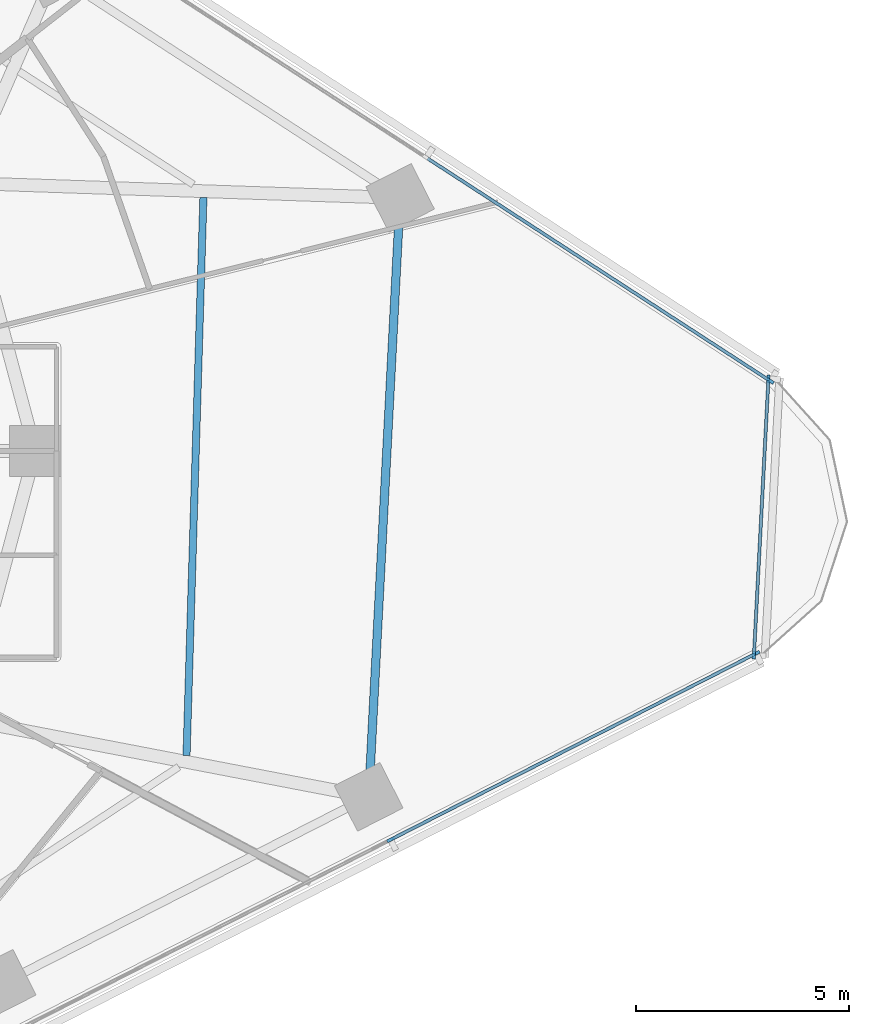
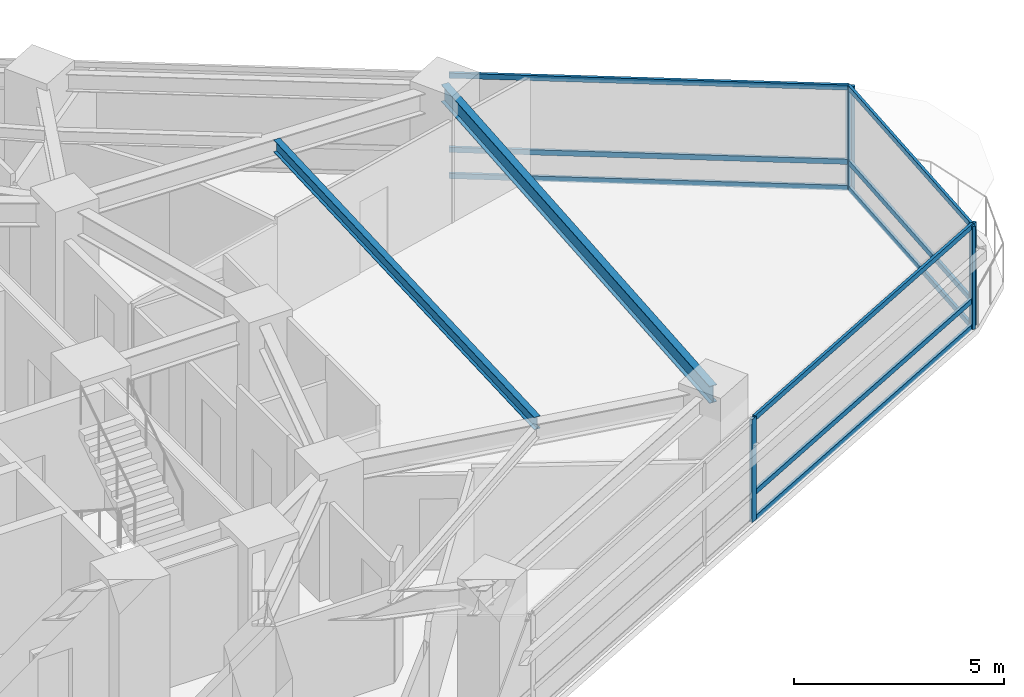
# One storey, part 4 of 14: 14 members, 2 beams, 3 elements without a shape of their own.
"""IFC4 building model written with IfcOpenShell, lengths in metres."""

from ifc_helpers import new_model, si_unit, direction, frame, origin, origin_2d, place, context, subcontext, project, spatial, rectangle, i_section, extrude, material, layer, layer_set, material_profile, profile_set, type_object, element, aggregate, save


model = new_model("IFC4")

# Units and contexts
model_context = context("Model", 3, precision=1e-05, world=origin(), true_north=direction((0.0, 1.0)))
body_context = subcontext(model_context, "Body", "Model", "MODEL_VIEW")
ifc_project = project(units=[si_unit("LENGTHUNIT", "METRE"), si_unit("AREAUNIT", "SQUARE_METRE"), si_unit("VOLUMEUNIT", "CUBIC_METRE"), si_unit("PLANEANGLEUNIT", "RADIAN"), si_unit("MASSUNIT", "GRAM", prefix="KILO")], contexts=[model_context])

# Site, building, storey
site_placement = place(None, origin())
site = spatial("IfcSite", under=ifc_project, at=site_placement, CompositionType="ELEMENT")
building_placement = place(site_placement, origin())
building = spatial("IfcBuilding", under=site, at=building_placement, Name="Terralouvre Media Tower", CompositionType="ELEMENT")
storey_placement = place(building_placement, frame((0.0, 0.0, 127.300048828125)))
storey = spatial("IfcBuildingStorey", under=building, at=storey_placement, Name="L32", CompositionType="ELEMENT", Elevation=127.300048828125)

# Beam
ifc_material_1 = material(Name="Structural steel S355J2", Category="steel")
ifc_material_profile_1 = material_profile(ifc_material_1, i_section(OverallWidth=0.169921875, OverallDepth=0.360107421875, WebThickness=0.008056640625, FlangeThickness=0.0126953125, at=origin_2d()), Name="IPE 360")
ifc_profile_set_1 = profile_set([ifc_material_profile_1], Name="Structural steel S355J2")
beam_type_1 = type_object("IfcBeamType", Name="Composite Floor Joist J-IPE360 (IPE 360)", PredefinedType="JOIST", material=ifc_profile_set_1)
beam_1_placement = place(storey_placement, frame((16.156005859375, -7.156005859375, 3.320068359375), z_axis=(0.030223204966, 0.999543174596, 0.0), x_axis=(-0.999543174596, 0.030223204966, 0.0)))
element("IfcBeam", 1, at=beam_1_placement, inside=storey, type_object=beam_type_1, Name="L32 Framing Beam JT-L32-06", PredefinedType="JOIST", context=body_context, shape_type="SweptSolid", body=[
    extrude(i_section(OverallWidth=0.169921875, OverallDepth=0.360107421875, WebThickness=0.008056640625, FlangeThickness=0.0126953125, at=origin_2d()), origin(), (0.0, 0.0, 1.0), 13.11865234375),
])

# Curtain wall, members
ifc_material_2 = material(Name="Low-iron laminated double glazing with solar-control coating", Category="glass")
ifc_layer_1 = layer(ifc_material_2, 0.1650390625, Name="Production Studio Tower Curtain Wall CW-03")
ifc_layer_set_1 = layer_set([ifc_layer_1], Name="Low-iron laminated double glazing with solar-control coating")
curtain_wall_type_1 = type_object("IfcCurtainWallType", Name="Production Studio Tower Curtain Wall CW-03", PredefinedType="NOTDEFINED", material=ifc_layer_set_1)
curtain_wall_1_placement = place(storey_placement, origin())
curtain_wall_1 = element("IfcCurtainWall", 2, at=curtain_wall_1_placement, inside=storey, type_object=curtain_wall_type_1, Name="L32 Facade Curtain Wall F0", PredefinedType="NOTDEFINED")
ifc_material_3 = material(Name="Anodised extruded aluminium 6063-T6", Category="aluminium")
ifc_material_profile_2 = material_profile(ifc_material_3, rectangle(XDim=0.074951171875, YDim=0.14990234375, at=origin_2d()), Name="ALU 75x150")
ifc_profile_set_2 = profile_set([ifc_material_profile_2], Name="Anodised extruded aluminium 6063-T6")
member_type_1 = type_object("IfcMemberType", Name="Curtain-Wall Horizontal Transom TR-150", PredefinedType="USERDEFINED", material=ifc_profile_set_2)
member_1_placement = place(storey_placement, frame((20.984619140625, -9.118896484375, 0.037353515625), z_axis=(0.891007557644, 0.453988471462, 0.0), x_axis=(-0.453988471462, 0.891007557644, 0.0)))
member_1 = element("IfcMember", 3, at=member_1_placement, type_object=member_type_1, Name="CW-03 transom 5.1", ObjectType="TRANSOM", PredefinedType="USERDEFINED", context=body_context, shape_type="SweptSolid", body=[
    extrude(rectangle(XDim=0.074951171875, YDim=0.14990234375, at=origin_2d()), origin(), (0.0, 0.0, 1.0), 9.5673828125),
])
member_2_placement = place(storey_placement, frame((20.984619140625, -9.118896484375, 0.800048828125), z_axis=(0.891007557644, 0.453988471462, 0.0), x_axis=(-0.453988471462, 0.891007557644, 0.0)))
member_2 = element("IfcMember", 4, at=member_2_placement, type_object=member_type_1, Name="CW-03 transom 5.2", ObjectType="TRANSOM", PredefinedType="USERDEFINED", context=body_context, shape_type="SweptSolid", body=[
    extrude(rectangle(XDim=0.074951171875, YDim=0.14990234375, at=origin_2d()), origin(), (0.0, 0.0, 1.0), 9.5673828125),
])
member_3_placement = place(storey_placement, frame((20.984619140625, -9.118896484375, 2.96240234375), z_axis=(0.891007557644, 0.453988471462, 0.0), x_axis=(-0.453988471462, 0.891007557644, 0.0)))
member_3 = element("IfcMember", 5, at=member_3_placement, type_object=member_type_1, Name="CW-03 transom 5.3", ObjectType="TRANSOM", PredefinedType="USERDEFINED", context=body_context, shape_type="SweptSolid", body=[
    extrude(rectangle(XDim=0.074951171875, YDim=0.14990234375, at=origin_2d()), origin(), (0.0, 0.0, 1.0), 9.5673828125),
])

curtain_wall_2_placement = place(storey_placement, origin())
curtain_wall_2 = element("IfcCurtainWall", 6, at=curtain_wall_2_placement, inside=storey, type_object=curtain_wall_type_1, Name="L32 Facade Curtain Wall F1", PredefinedType="NOTDEFINED")
member_4_placement = place(storey_placement, frame((29.846923828125, 1.664794921875, 0.037353515625), z_axis=(-0.838683148474, 0.544619662211, 0.0), x_axis=(-0.544619662211, -0.838683148474, 0.0)))
member_4 = element("IfcMember", 7, at=member_4_placement, type_object=member_type_1, Name="CW-03 transom 1.1", ObjectType="TRANSOM", PredefinedType="USERDEFINED", context=body_context, shape_type="SweptSolid", body=[
    extrude(rectangle(XDim=0.074951171875, YDim=0.14990234375, at=origin_2d()), origin(), (0.0, 0.0, 1.0), 9.567626953125),
])
member_5_placement = place(storey_placement, frame((29.846923828125, 1.664794921875, 0.800048828125), z_axis=(-0.838683148474, 0.544619662211, 0.0), x_axis=(-0.544619662211, -0.838683148474, 0.0)))
member_5 = element("IfcMember", 8, at=member_5_placement, type_object=member_type_1, Name="CW-03 transom 1.2", ObjectType="TRANSOM", PredefinedType="USERDEFINED", context=body_context, shape_type="SweptSolid", body=[
    extrude(rectangle(XDim=0.074951171875, YDim=0.14990234375, at=origin_2d()), origin(), (0.0, 0.0, 1.0), 9.567626953125),
])
member_6_placement = place(storey_placement, frame((29.846923828125, 1.664794921875, 2.96240234375), z_axis=(-0.838683148474, 0.544619662211, 0.0), x_axis=(-0.544619662211, -0.838683148474, 0.0)))
member_6 = element("IfcMember", 9, at=member_6_placement, type_object=member_type_1, Name="CW-03 transom 1.3", ObjectType="TRANSOM", PredefinedType="USERDEFINED", context=body_context, shape_type="SweptSolid", body=[
    extrude(rectangle(XDim=0.074951171875, YDim=0.14990234375, at=origin_2d()), origin(), (0.0, 0.0, 1.0), 9.567626953125),
])

ifc_material_4 = material(Name="Low-iron laminated double glazing with solar-control coating", Category="glass")
ifc_layer_2 = layer(ifc_material_4, 0.1650390625, Name="Rounded Wind-Corner Curved Glazing CW-04")
ifc_layer_set_2 = layer_set([ifc_layer_2], Name="Low-iron laminated double glazing with solar-control coating")
curtain_wall_type_2 = type_object("IfcCurtainWallType", Name="Rounded Wind-Corner Curved Glazing CW-04", PredefinedType="NOTDEFINED", material=ifc_layer_set_2)
curtain_wall_3_placement = place(storey_placement, origin())
curtain_wall_3 = element("IfcCurtainWall", 10, at=curtain_wall_3_placement, inside=storey, type_object=curtain_wall_type_2, Name="L32 Rounded Wind-Corner Curtain Wall C1", PredefinedType="NOTDEFINED")
member_7_placement = place(storey_placement, frame((29.49462890625, -4.76611328125, 0.037353515625), z_axis=(0.052343668365, 0.998629130549, 0.0), x_axis=(-0.998629130549, 0.052343668365, 0.0)))
member_7 = element("IfcMember", 11, at=member_7_placement, type_object=member_type_1, Name="CW-04 transom 1.1", ObjectType="TRANSOM", PredefinedType="USERDEFINED", context=body_context, shape_type="SweptSolid", body=[
    extrude(rectangle(XDim=0.074951171875, YDim=0.14990234375, at=origin_2d()), origin(), (0.0, 0.0, 1.0), 6.431884765625),
])
member_8_placement = place(storey_placement, frame((29.49462890625, -4.76611328125, 0.800048828125), z_axis=(0.052343668365, 0.998629130549, 0.0), x_axis=(-0.998629130549, 0.052343668365, 0.0)))
member_8 = element("IfcMember", 12, at=member_8_placement, type_object=member_type_1, Name="CW-04 transom 1.2", ObjectType="TRANSOM", PredefinedType="USERDEFINED", context=body_context, shape_type="SweptSolid", body=[
    extrude(rectangle(XDim=0.074951171875, YDim=0.14990234375, at=origin_2d()), origin(), (0.0, 0.0, 1.0), 6.431884765625),
])
member_9_placement = place(storey_placement, frame((29.49462890625, -4.76611328125, 2.96240234375), z_axis=(0.052343668365, 0.998629130549, 0.0), x_axis=(-0.998629130549, 0.052343668365, 0.0)))
member_9 = element("IfcMember", 13, at=member_9_placement, type_object=member_type_1, Name="CW-04 transom 1.3", ObjectType="TRANSOM", PredefinedType="USERDEFINED", context=body_context, shape_type="SweptSolid", body=[
    extrude(rectangle(XDim=0.074951171875, YDim=0.14990234375, at=origin_2d()), origin(), (0.0, 0.0, 1.0), 6.431884765625),
])

# Member
ifc_material_5 = material(Name="Anodised extruded aluminium 6063-T6", Category="aluminium")
ifc_material_profile_3 = material_profile(ifc_material_5, rectangle(XDim=0.074951171875, YDim=0.179931640625, at=origin_2d()), Name="ALU 75x180")
ifc_profile_set_3 = profile_set([ifc_material_profile_3], Name="Anodised extruded aluminium 6063-T6")
member_type_2 = type_object("IfcMemberType", Name="Curtain-Wall Vertical Mullion ML-180", PredefinedType="MULLION", material=ifc_profile_set_3)
member_10_placement = place(storey_placement, frame((20.951171875, -9.135986328125, 0.0), z_axis=(0.0, 0.0, 1.0), x_axis=(-0.4539905449, 0.891006501178, 0.0)))
member_10 = element("IfcMember", 14, at=member_10_placement, type_object=member_type_2, Name="CW-03 mullion 5", PredefinedType="MULLION", context=body_context, shape_type="SweptSolid", body=[
    extrude(rectangle(XDim=0.074951171875, YDim=0.179931640625, at=origin_2d()), origin(), (0.0, 0.0, 1.0), 3.0),
])

member_11_placement = place(storey_placement, frame((29.542724609375, -4.75830078125, 0.0), z_axis=(0.0, 0.0, 1.0), x_axis=(-0.4539905449, 0.891006501178, 0.0)))
member_11 = element("IfcMember", 15, at=member_11_placement, type_object=member_type_2, Name="CW-03 mullion 6", PredefinedType="MULLION", context=body_context, shape_type="SweptSolid", body=[
    extrude(rectangle(XDim=0.074951171875, YDim=0.179931640625, at=origin_2d()), origin(), (0.0, 0.0, 1.0), 3.0),
])

aggregate(curtain_wall_1, [member_10, member_11, member_1, member_2, member_3])

member_12_placement = place(storey_placement, frame((29.878173828125, 1.644287109375, 0.0), z_axis=(0.0, 0.0, 1.0), x_axis=(-0.544639002681, -0.838670588944, 0.0)))
member_12 = element("IfcMember", 16, at=member_12_placement, type_object=member_type_2, Name="CW-03 mullion 1", PredefinedType="MULLION", context=body_context, shape_type="SweptSolid", body=[
    extrude(rectangle(XDim=0.074951171875, YDim=0.179931640625, at=origin_2d()), origin(), (0.0, 0.0, 1.0), 3.0),
])

aggregate(curtain_wall_2, [member_12, member_4, member_5, member_6])

member_13_placement = place(storey_placement, frame((29.49267578125, -4.803466796875, 0.0), z_axis=(0.0, 0.0, 1.0), x_axis=(-0.998629489329, 0.052336823006, 0.0)))
member_13 = element("IfcMember", 17, at=member_13_placement, type_object=member_type_2, Name="CW-04 mullion 1", PredefinedType="MULLION", context=body_context, shape_type="SweptSolid", body=[
    extrude(rectangle(XDim=0.074951171875, YDim=0.179931640625, at=origin_2d()), origin(), (0.0, 0.0, 1.0), 3.0),
])

member_14_placement = place(storey_placement, frame((29.833251953125, 1.6943359375, 0.0), z_axis=(0.0, 0.0, 1.0), x_axis=(-0.998629489329, 0.052336823006, 0.0)))
member_14 = element("IfcMember", 18, at=member_14_placement, type_object=member_type_2, Name="CW-04 mullion 2", PredefinedType="MULLION", context=body_context, shape_type="SweptSolid", body=[
    extrude(rectangle(XDim=0.074951171875, YDim=0.179931640625, at=origin_2d()), origin(), (0.0, 0.0, 1.0), 3.0),
])

aggregate(curtain_wall_3, [member_13, member_14, member_7, member_8, member_9])

# Beam
ifc_material_6 = material(Name="Structural steel S355J2", Category="steel")
ifc_material_profile_4 = material_profile(ifc_material_6, i_section(OverallWidth=0.199951171875, OverallDepth=0.5, WebThickness=0.01025390625, FlangeThickness=0.01611328125, at=origin_2d()), Name="IPE 500")
ifc_profile_set_4 = profile_set([ifc_material_profile_4], Name="Structural steel S355J2")
beam_type_2 = type_object("IfcBeamType", Name="Perimeter Spandrel Beam SPB-500 (IPE 500)", PredefinedType="SPANDREL", material=ifc_profile_set_4)
beam_2_placement = place(storey_placement, frame((20.438232421875, -8.129150390625, 3.25), z_axis=(0.052337943139, 0.998629430624, 0.0), x_axis=(-0.998629430624, 0.052337943139, 0.0)))
element("IfcBeam", 19, at=beam_2_placement, inside=storey, type_object=beam_type_2, Name="L32 Framing Beam BM-L32-PR06", PredefinedType="SPANDREL", context=body_context, shape_type="SweptSolid", body=[
    extrude(i_section(OverallWidth=0.199951171875, OverallDepth=0.5, WebThickness=0.01025390625, FlangeThickness=0.01611328125, at=origin_2d()), origin(), (0.0, 0.0, 1.0), 14.0966796875),
])

save(model, "model.ifc")
